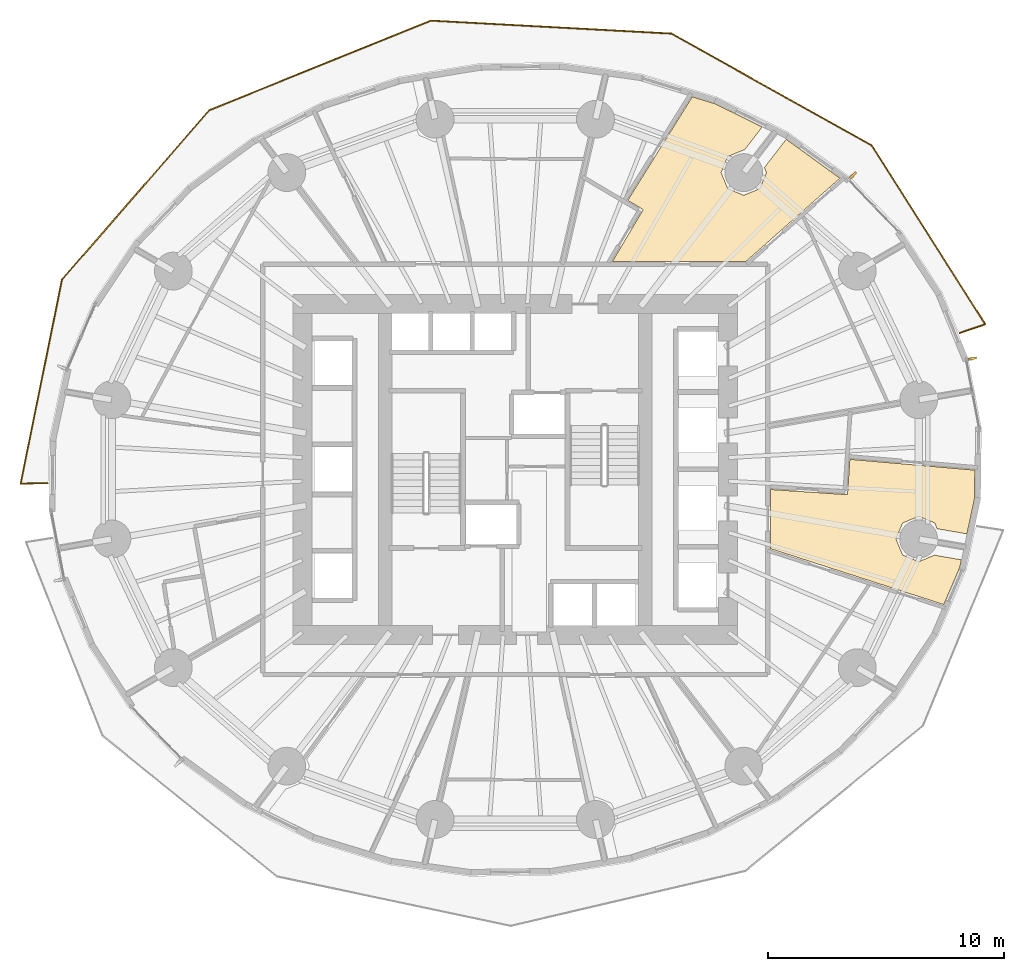
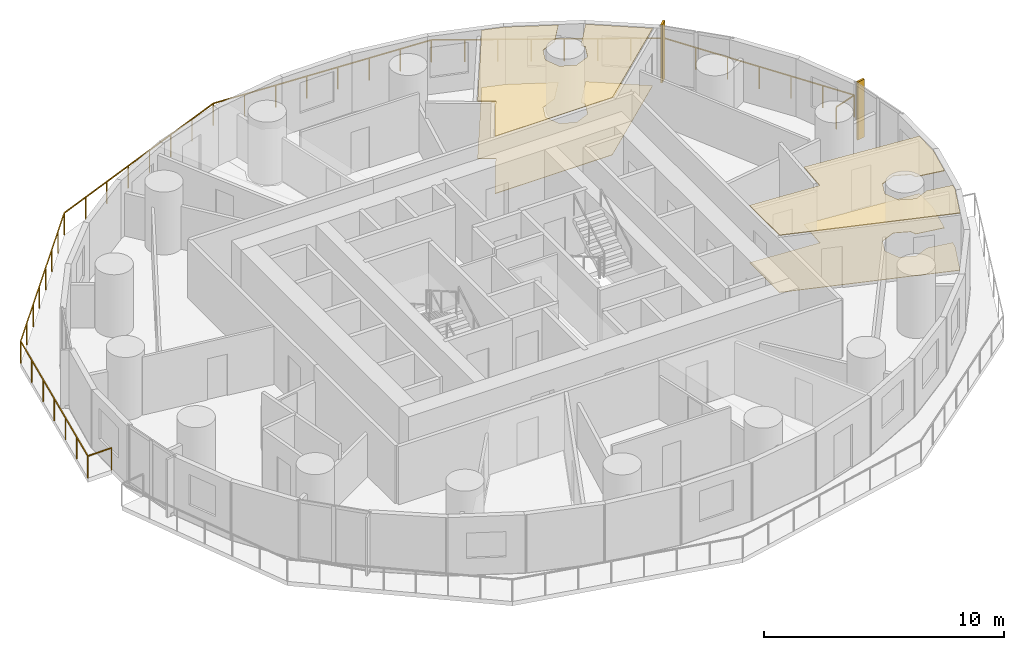
# One storey, part 14 of 14: 4 coverings, 2 shading devices, 1 railing.
"""IFC4 building model written with IfcOpenShell, lengths in metres."""

from ifc_helpers import new_model, si_unit, direction, frame, origin, origin_2d, place, context, subcontext, project, spatial, polyline, rectangle, outline, extrude, material, layer, layer_set, type_object, element, save


model = new_model("IFC4")

# Units and contexts
model_context = context("Model", 3, precision=1e-05, world=origin(), true_north=direction((0.0, 1.0)))
body_context = subcontext(model_context, "Body", "Model", "MODEL_VIEW")
ifc_project = project(units=[si_unit("LENGTHUNIT", "METRE"), si_unit("AREAUNIT", "SQUARE_METRE"), si_unit("VOLUMEUNIT", "CUBIC_METRE"), si_unit("PLANEANGLEUNIT", "RADIAN"), si_unit("MASSUNIT", "GRAM", prefix="KILO")], contexts=[model_context])

# Site, building, storey
site_placement = place(None, origin())
site = spatial("IfcSite", under=ifc_project, at=site_placement, CompositionType="ELEMENT")
building_placement = place(site_placement, origin())
building = spatial("IfcBuilding", under=site, at=building_placement, Name="Veldorim Arch Residences", CompositionType="ELEMENT")
storey_placement = place(building_placement, frame((0.0, 0.0, 28.0)))
storey = spatial("IfcBuildingStorey", under=building, at=storey_placement, Name="L07", CompositionType="ELEMENT", Elevation=28.0)

# Railing
ifc_material_1 = material(Name="Aluminium", Category="aluminium")
railing_type = type_object("IfcRailingType", Name="Balcony & Terrace Laminated Glass Balustrade 1150", PredefinedType="BALUSTRADE", material=ifc_material_1)
railing_placement = place(storey_placement, frame((50.797119140625, 29.767333984375, 0.0)))
element("IfcRailing", 1, at=railing_placement, inside=storey, type_object=railing_type, Name="L07 crescent balcony safety balustrade A", PredefinedType="BALUSTRADE", context=body_context, shape_type="SweptSolid", body=[
    extrude(rectangle(XDim=0.048095703125, YDim=0.048095703125, at=origin_2d()), frame((0.0, 0.0, 1.1259765625), z_axis=(0.946560286675, 0.322526934827, 0.0), x_axis=(-0.322526934827, 0.946560286675, 0.0)), (0.0, 0.0, 1.0), 1.14990234375),
    extrude(rectangle(XDim=0.048095703125, YDim=0.048095703125, at=origin_2d()), frame((1.08837890625, 0.370849609375, 1.1259765625), z_axis=(-0.53607472268, 0.844170534728, 0.0), x_axis=(-0.844170534728, -0.53607472268, 0.0)), (0.0, 0.0, 1.0), 8.958984375),
    extrude(rectangle(XDim=0.048095703125, YDim=0.048095703125, at=origin_2d()), frame((-3.71435546875, 7.933837890625, 1.1259765625), z_axis=(-0.87290883219, 0.487883357663, 0.0), x_axis=(-0.487883357663, -0.87290883219, 0.0)), (0.0, 0.0, 1.0), 9.7080078125),
    extrude(rectangle(XDim=0.048095703125, YDim=0.048095703125, at=origin_2d()), frame((-12.1884765625, 12.670166015625, 1.1259765625), z_axis=(-0.998545340766, 0.053918479533, 0.0), x_axis=(-0.053918479533, -0.998545340766, 0.0)), (0.0, 0.0, 1.0), 10.197021484375),
    extrude(rectangle(XDim=0.048095703125, YDim=0.048095703125, at=origin_2d()), frame((-22.37060546875, 13.219970703125, 1.1259765625), z_axis=(-0.927048609411, -0.374941163104, 0.0), x_axis=(0.374941163104, -0.927048609411, 0.0)), (0.0, 0.0, 1.0), 10.10498046875),
    extrude(rectangle(XDim=0.048095703125, YDim=0.048095703125, at=origin_2d()), frame((-31.738525390625, 9.43115234375, 1.1259765625), z_axis=(-0.656490365297, -0.754334408782, 0.0), x_axis=(0.754334408782, -0.656490365297, 0.0)), (0.0, 0.0, 1.0), 9.501708984375),
    extrude(rectangle(XDim=0.048095703125, YDim=0.048095703125, at=origin_2d()), frame((-37.976318359375, 2.263671875, 1.1259765625), z_axis=(-0.198683283688, -0.980063749346, 0.0), x_axis=(0.980063749346, -0.198683283688, 0.0)), (0.0, 0.0, 1.0), 8.81298828125),
    extrude(rectangle(XDim=0.048095703125, YDim=0.048095703125, at=origin_2d()), frame((-39.727294921875, -6.37353515625, 1.1259765625), z_axis=(0.999787911114, 0.020594484472, 0.0), x_axis=(-0.020594484472, 0.999787911114, 0.0)), (0.0, 0.0, 1.0), 1.14990234375),
    extrude(rectangle(XDim=0.0419921875, YDim=0.0419921875, at=origin_2d()), origin(), (0.0, 0.0, 1.0), 1.101806640625),
    extrude(rectangle(XDim=0.0419921875, YDim=0.0419921875, at=origin_2d()), frame((1.08837890625, 0.370849609375, 0.0)), (0.0, 0.0, 1.0), 1.101806640625),
    extrude(rectangle(XDim=0.0419921875, YDim=0.0419921875, at=origin_2d()), frame((0.287841796875, 1.63134765625, 0.0)), (0.0, 0.0, 1.0), 1.101806640625),
    extrude(rectangle(XDim=0.0419921875, YDim=0.0419921875, at=origin_2d()), frame((-0.512451171875, 2.891845703125, 0.0)), (0.0, 0.0, 1.0), 1.101806640625),
    extrude(rectangle(XDim=0.0419921875, YDim=0.0419921875, at=origin_2d()), frame((-1.31298828125, 4.15234375, 0.0)), (0.0, 0.0, 1.0), 1.101806640625),
    extrude(rectangle(XDim=0.0419921875, YDim=0.0419921875, at=origin_2d()), frame((-2.113525390625, 5.412841796875, 0.0)), (0.0, 0.0, 1.0), 1.101806640625),
    extrude(rectangle(XDim=0.0419921875, YDim=0.0419921875, at=origin_2d()), frame((-2.913818359375, 6.67333984375, 0.0)), (0.0, 0.0, 1.0), 1.101806640625),
    extrude(rectangle(XDim=0.0419921875, YDim=0.0419921875, at=origin_2d()), frame((-3.71435546875, 7.933837890625, 0.0)), (0.0, 0.0, 1.0), 1.101806640625),
    extrude(rectangle(XDim=0.0419921875, YDim=0.0419921875, at=origin_2d()), frame((-4.925048828125, 8.6103515625, 0.0)), (0.0, 0.0, 1.0), 1.101806640625),
    extrude(rectangle(XDim=0.0419921875, YDim=0.0419921875, at=origin_2d()), frame((-6.135498046875, 9.287109375, 0.0)), (0.0, 0.0, 1.0), 1.101806640625),
    extrude(rectangle(XDim=0.0419921875, YDim=0.0419921875, at=origin_2d()), frame((-7.34619140625, 9.963623046875, 0.0)), (0.0, 0.0, 1.0), 1.101806640625),
    extrude(rectangle(XDim=0.0419921875, YDim=0.0419921875, at=origin_2d()), frame((-8.556640625, 10.640380859375, 0.0)), (0.0, 0.0, 1.0), 1.101806640625),
    extrude(rectangle(XDim=0.0419921875, YDim=0.0419921875, at=origin_2d()), frame((-9.767333984375, 11.31689453125, 0.0)), (0.0, 0.0, 1.0), 1.101806640625),
    extrude(rectangle(XDim=0.0419921875, YDim=0.0419921875, at=origin_2d()), frame((-10.977783203125, 11.99365234375, 0.0)), (0.0, 0.0, 1.0), 1.101806640625),
    extrude(rectangle(XDim=0.0419921875, YDim=0.0419921875, at=origin_2d()), frame((-12.1884765625, 12.670166015625, 0.0)), (0.0, 0.0, 1.0), 1.101806640625),
    extrude(rectangle(XDim=0.0419921875, YDim=0.0419921875, at=origin_2d()), frame((-13.64306640625, 12.748779296875, 0.0)), (0.0, 0.0, 1.0), 1.101806640625),
    extrude(rectangle(XDim=0.0419921875, YDim=0.0419921875, at=origin_2d()), frame((-15.09765625, 12.8271484375, 0.0)), (0.0, 0.0, 1.0), 1.101806640625),
    extrude(rectangle(XDim=0.0419921875, YDim=0.0419921875, at=origin_2d()), frame((-16.55224609375, 12.90576171875, 0.0)), (0.0, 0.0, 1.0), 1.101806640625),
    extrude(rectangle(XDim=0.0419921875, YDim=0.0419921875, at=origin_2d()), frame((-18.0068359375, 12.984375, 0.0)), (0.0, 0.0, 1.0), 1.101806640625),
    extrude(rectangle(XDim=0.0419921875, YDim=0.0419921875, at=origin_2d()), frame((-19.46142578125, 13.06298828125, 0.0)), (0.0, 0.0, 1.0), 1.101806640625),
    extrude(rectangle(XDim=0.0419921875, YDim=0.0419921875, at=origin_2d()), frame((-20.916015625, 13.141357421875, 0.0)), (0.0, 0.0, 1.0), 1.101806640625),
    extrude(rectangle(XDim=0.0419921875, YDim=0.0419921875, at=origin_2d()), frame((-22.37060546875, 13.219970703125, 0.0)), (0.0, 0.0, 1.0), 1.101806640625),
    extrude(rectangle(XDim=0.0419921875, YDim=0.0419921875, at=origin_2d()), frame((-23.708984375, 12.6787109375, 0.0)), (0.0, 0.0, 1.0), 1.101806640625),
    extrude(rectangle(XDim=0.0419921875, YDim=0.0419921875, at=origin_2d()), frame((-25.047119140625, 12.137451171875, 0.0)), (0.0, 0.0, 1.0), 1.101806640625),
    extrude(rectangle(XDim=0.0419921875, YDim=0.0419921875, at=origin_2d()), frame((-26.385498046875, 11.59619140625, 0.0)), (0.0, 0.0, 1.0), 1.101806640625),
    extrude(rectangle(XDim=0.0419921875, YDim=0.0419921875, at=origin_2d()), frame((-27.7236328125, 11.054931640625, 0.0)), (0.0, 0.0, 1.0), 1.101806640625),
    extrude(rectangle(XDim=0.0419921875, YDim=0.0419921875, at=origin_2d()), frame((-29.06201171875, 10.513671875, 0.0)), (0.0, 0.0, 1.0), 1.101806640625),
    extrude(rectangle(XDim=0.0419921875, YDim=0.0419921875, at=origin_2d()), frame((-30.400146484375, 9.972412109375, 0.0)), (0.0, 0.0, 1.0), 1.101806640625),
    extrude(rectangle(XDim=0.0419921875, YDim=0.0419921875, at=origin_2d()), frame((-31.738525390625, 9.43115234375, 0.0)), (0.0, 0.0, 1.0), 1.101806640625),
    extrude(rectangle(XDim=0.0419921875, YDim=0.0419921875, at=origin_2d()), frame((-32.629638671875, 8.4072265625, 0.0)), (0.0, 0.0, 1.0), 1.101806640625),
    extrude(rectangle(XDim=0.0419921875, YDim=0.0419921875, at=origin_2d()), frame((-33.520751953125, 7.38330078125, 0.0)), (0.0, 0.0, 1.0), 1.101806640625),
    extrude(rectangle(XDim=0.0419921875, YDim=0.0419921875, at=origin_2d()), frame((-34.411865234375, 6.359375, 0.0)), (0.0, 0.0, 1.0), 1.101806640625),
    extrude(rectangle(XDim=0.0419921875, YDim=0.0419921875, at=origin_2d()), frame((-35.302978515625, 5.33544921875, 0.0)), (0.0, 0.0, 1.0), 1.101806640625),
    extrude(rectangle(XDim=0.0419921875, YDim=0.0419921875, at=origin_2d()), frame((-36.194091796875, 4.3115234375, 0.0)), (0.0, 0.0, 1.0), 1.101806640625),
    extrude(rectangle(XDim=0.0419921875, YDim=0.0419921875, at=origin_2d()), frame((-37.085205078125, 3.28759765625, 0.0)), (0.0, 0.0, 1.0), 1.101806640625),
    extrude(rectangle(XDim=0.0419921875, YDim=0.0419921875, at=origin_2d()), frame((-37.976318359375, 2.263671875, 0.0)), (0.0, 0.0, 1.0), 1.101806640625),
    extrude(rectangle(XDim=0.0419921875, YDim=0.0419921875, at=origin_2d()), frame((-38.26806640625, 0.82421875, 0.0)), (0.0, 0.0, 1.0), 1.101806640625),
    extrude(rectangle(XDim=0.0419921875, YDim=0.0419921875, at=origin_2d()), frame((-38.56005859375, -0.615478515625, 0.0)), (0.0, 0.0, 1.0), 1.101806640625),
    extrude(rectangle(XDim=0.0419921875, YDim=0.0419921875, at=origin_2d()), frame((-38.851806640625, -2.054931640625, 0.0)), (0.0, 0.0, 1.0), 1.101806640625),
    extrude(rectangle(XDim=0.0419921875, YDim=0.0419921875, at=origin_2d()), frame((-39.1435546875, -3.494384765625, 0.0)), (0.0, 0.0, 1.0), 1.101806640625),
    extrude(rectangle(XDim=0.0419921875, YDim=0.0419921875, at=origin_2d()), frame((-39.435546875, -4.93408203125, 0.0)), (0.0, 0.0, 1.0), 1.101806640625),
    extrude(rectangle(XDim=0.0419921875, YDim=0.0419921875, at=origin_2d()), frame((-39.727294921875, -6.37353515625, 0.0)), (0.0, 0.0, 1.0), 1.101806640625),
    extrude(rectangle(XDim=0.0419921875, YDim=0.0419921875, at=origin_2d()), frame((-38.57763671875, -6.349853515625, 0.0)), (0.0, 0.0, 1.0), 1.101806640625),
])

# Coverings
ifc_material_2 = material(Name="Acoustic Gypsum & Mineral Fibre", Category="gypsum")
ifc_layer_1 = layer(ifc_material_2, 0.034912109375, Name="Perforated Acoustic Mineral-Fibre Ceiling 35")
ifc_layer_set_1 = layer_set([ifc_layer_1], Name="Acoustic Gypsum & Mineral Fibre")
covering_type_1 = type_object("IfcCoveringType", Name="Perforated Acoustic Mineral-Fibre Ceiling 35", PredefinedType="CEILING", material=ifc_layer_set_1)
covering_1_placement = place(storey_placement, frame((0.0, 0.0, 2.905029296875)))
element("IfcCovering", 2, at=covering_1_placement, inside=storey, type_object=covering_type_1, Name="L07 acoustic suspended ceiling 04", PredefinedType="CEILING", context=body_context, shape_type="SweptSolid", body=[
    extrude(outline(polyline([(49.065673828125, 20.09423828125), (49.73291015625, 20.37060546875), (50.87060546875, 20.17431640625), (50.802001953125, 19.853759765625), (50.127685546875, 18.280029296875), (42.800048828125, 20.643310546875), (42.800048828125, 23.147705078125), (46.054931640625, 22.9296875), (46.155029296875, 24.4248046875), (51.44140625, 23.96630859375), (51.426513671875, 22.76708984375), (51.105712890625, 21.270263671875), (49.845947265625, 21.48779296875), (49.744384765625, 21.73291015625), (49.065673828125, 22.013916015625), (48.386962890625, 21.73291015625), (48.105712890625, 21.05419921875), (48.386962890625, 20.37548828125), (49.065673828125, 20.09423828125)])), origin(), (0.0, 0.0, 1.0), 0.034912109375),
])
covering_2_placement = place(storey_placement, frame((0.0, 0.0, 2.905029296875)))
element("IfcCovering", 3, at=covering_2_placement, inside=storey, type_object=covering_type_1, Name="L07 acoustic suspended ceiling 05", PredefinedType="CEILING", context=body_context, shape_type="SweptSolid", body=[
    extrude(outline(polyline([(41.6669921875, 37.51513671875), (40.98828125, 37.23388671875), (40.70703125, 36.55517578125), (40.98828125, 35.87646484375), (41.6669921875, 35.59521484375), (42.345703125, 35.87646484375), (42.626708984375, 36.55517578125), (42.5380859375, 36.76904296875), (43.4599609375, 37.9658203125), (45.7353515625, 36.31640625), (41.76220703125, 32.800048828125), (36.113037109375, 32.800048828125), (37.41357421875, 34.9912109375), (36.7578125, 35.38037109375), (39.48779296875, 39.76171875), (40.456787109375, 39.46533203125), (42.4453125, 38.48388671875), (41.69140625, 37.5048828125), (41.6669921875, 37.51513671875)])), origin(), (0.0, 0.0, 1.0), 0.034912109375),
])
ifc_material_3 = material(Name="Porcelain Ceramic Tile", Category="ceramic")
ifc_layer_2 = layer(ifc_material_3, 0.02001953125, Name="Slip-Resistant Porcelain & Vinyl Floor Finish 20")
ifc_layer_set_2 = layer_set([ifc_layer_2], Name="Porcelain Ceramic Tile")
covering_type_2 = type_object("IfcCoveringType", Name="Slip-Resistant Porcelain & Vinyl Floor Finish 20", PredefinedType="FLOORING", material=ifc_layer_set_2)
covering_3_placement = place(storey_placement, origin())
element("IfcCovering", 4, at=covering_3_placement, inside=storey, type_object=covering_type_2, Name="L07 porcelain floor finish 04", PredefinedType="FLOORING", context=body_context, shape_type="SweptSolid", body=[
    extrude(outline(polyline([(49.065673828125, 20.09423828125), (49.73291015625, 20.37060546875), (50.87060546875, 20.17431640625), (50.802001953125, 19.853759765625), (50.127685546875, 18.280029296875), (42.800048828125, 20.643310546875), (42.800048828125, 23.147705078125), (46.054931640625, 22.9296875), (46.155029296875, 24.4248046875), (51.44140625, 23.96630859375), (51.426513671875, 22.76708984375), (51.105712890625, 21.270263671875), (49.845947265625, 21.48779296875), (49.744384765625, 21.73291015625), (49.065673828125, 22.013916015625), (48.386962890625, 21.73291015625), (48.105712890625, 21.05419921875), (48.386962890625, 20.37548828125), (49.065673828125, 20.09423828125)])), origin(), (0.0, 0.0, 1.0), 0.02001953125),
])
covering_4_placement = place(storey_placement, origin())
element("IfcCovering", 5, at=covering_4_placement, inside=storey, type_object=covering_type_2, Name="L07 porcelain floor finish 05", PredefinedType="FLOORING", context=body_context, shape_type="SweptSolid", body=[
    extrude(outline(polyline([(41.6669921875, 37.51513671875), (40.98828125, 37.23388671875), (40.70703125, 36.55517578125), (40.98828125, 35.87646484375), (41.6669921875, 35.59521484375), (42.345703125, 35.87646484375), (42.626708984375, 36.55517578125), (42.5380859375, 36.76904296875), (43.4599609375, 37.9658203125), (45.7353515625, 36.31640625), (41.76220703125, 32.800048828125), (36.113037109375, 32.800048828125), (37.41357421875, 34.9912109375), (36.7578125, 35.38037109375), (39.48779296875, 39.76171875), (40.456787109375, 39.46533203125), (42.4453125, 38.48388671875), (41.69140625, 37.5048828125), (41.6669921875, 37.51513671875)])), origin(), (0.0, 0.0, 1.0), 0.02001953125),
])

# Shading devices
ifc_material_4 = material(Name="Terracotta Ceramic", Category="masonry")
ifc_layer_3 = layer(ifc_material_4, 0.090087890625, Name="Vertical Extruded Terracotta Baguette Sun-Shading Fin")
ifc_layer_set_3 = layer_set([ifc_layer_3], Name="Terracotta Ceramic")
shading_device_type = type_object("IfcShadingDeviceType", Name="Vertical Extruded Terracotta Baguette Sun-Shading Fin", PredefinedType="USERDEFINED", material=ifc_layer_set_3)
for number, where, z_axis, x_axis, name in (
    (6, (51.3369140625, 28.6884765625, 0.0), (0.0, 0.0, 1.0), (0.187209870265, -0.982319939976, 0.0), "L07 vertical terracotta sun-shading fin 01"),
    (7, (46.28466796875, 36.44189453125, 0.0), (0.0, 0.0, 1.0), (0.693527577607, -0.720430079257, 0.0), "L07 vertical terracotta sun-shading fin 04"),
):
    element("IfcShadingDevice", number, at=place(storey_placement, frame(where, z_axis=z_axis, x_axis=x_axis)), inside=storey, type_object=shading_device_type, Name=name, ObjectType="FIN", PredefinedType="USERDEFINED", context=body_context, shape_type="SweptSolid", body=[
        extrude(rectangle(XDim=0.090087890625, YDim=0.360107421875, at=origin_2d()), origin(), (0.0, 0.0, 1.0), 2.9599609375),
    ])

save(model, "model.ifc")
